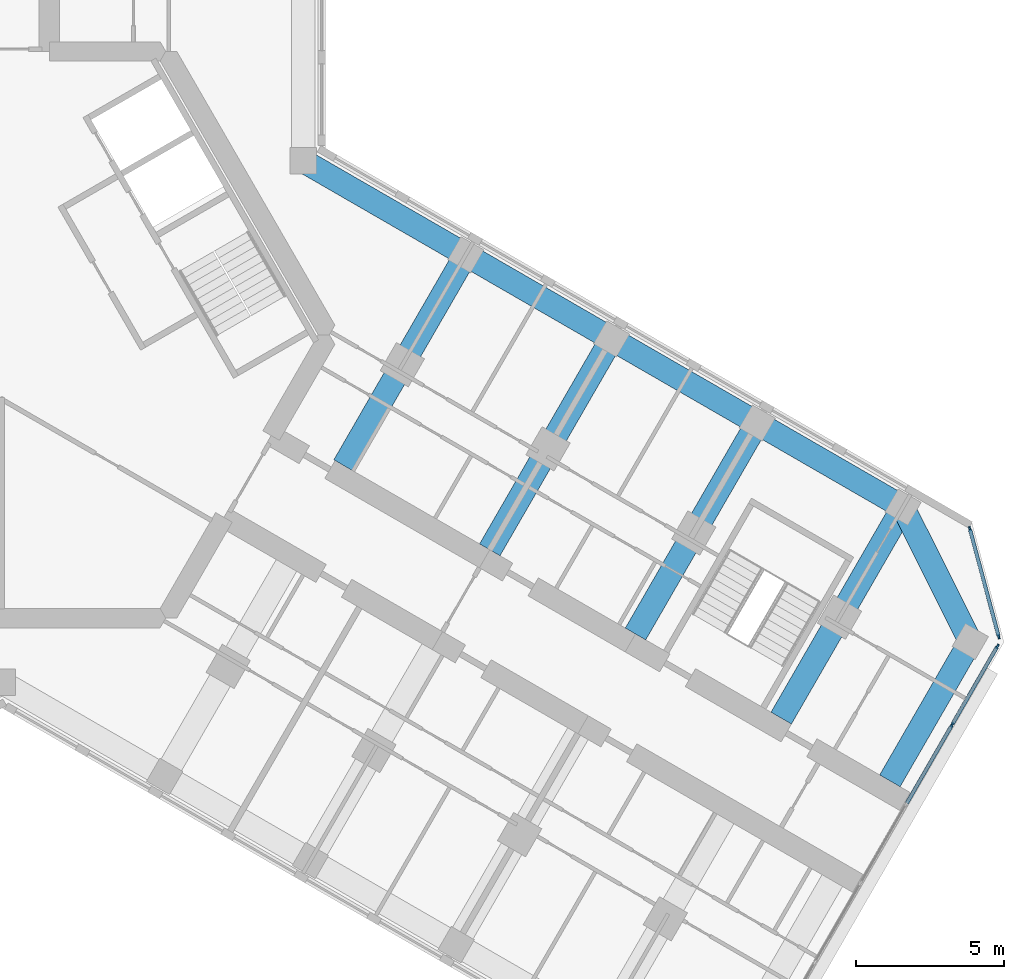
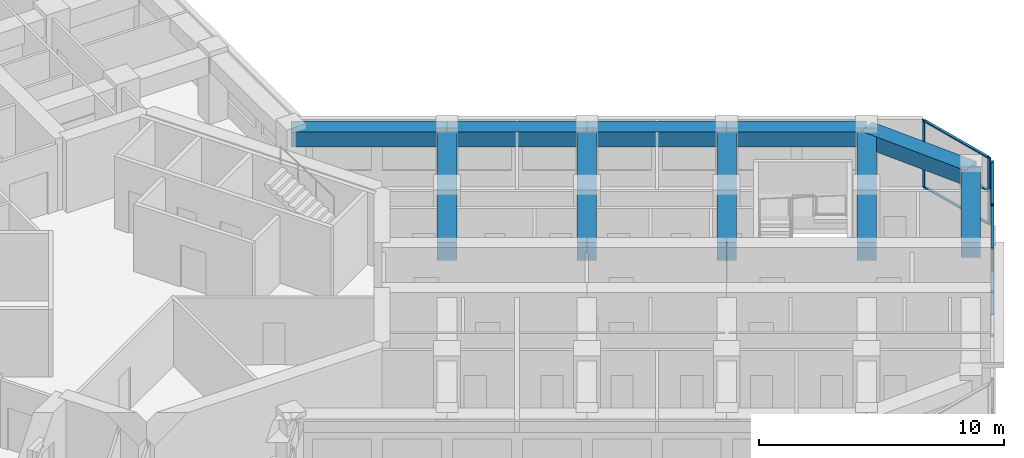
# One storey, part 5 of 16: 11 members, 10 beams, 2 elements without a shape of their own.
"""IFC4 building model written with IfcOpenShell, lengths in metres."""

from ifc_helpers import new_model, si_unit, direction, frame, origin, origin_2d, place, context, subcontext, project, spatial, rectangle, extrude, material, material_profile, profile_set, type_object, element, aggregate, save


model = new_model("IFC4")

# Units and contexts
model_context = context("Model", 3, precision=1e-05, world=origin(), true_north=direction((0.0, 1.0)))
body_context = subcontext(model_context, "Body", "Model", "MODEL_VIEW")
ifc_project = project(units=[si_unit("LENGTHUNIT", "METRE"), si_unit("AREAUNIT", "SQUARE_METRE"), si_unit("VOLUMEUNIT", "CUBIC_METRE"), si_unit("PLANEANGLEUNIT", "RADIAN"), si_unit("MASSUNIT", "GRAM", prefix="KILO")], contexts=[model_context])

# Site, building, storey
site_placement = place(None, origin())
site = spatial("IfcSite", under=ifc_project, at=site_placement, CompositionType="ELEMENT")
building_placement = place(site_placement, origin())
building = spatial("IfcBuilding", under=site, at=building_placement, Name="Kosmar Iwan School Tower", CompositionType="ELEMENT")
storey_placement = place(building_placement, frame((0.0, 0.0, 219.0)))
storey = spatial("IfcBuildingStorey", under=building, at=storey_placement, Name="L55", CompositionType="ELEMENT", Elevation=219.0)

# Curtain wall, members
ifc_material_1 = material(Name="Dark glass in black aluminium frame", Category="aluminium")
curtain_wall_type_1 = type_object("IfcCurtainWallType", Name="Tower curtain wall dark glass", PredefinedType="USERDEFINED", material=ifc_material_1)
curtain_wall_1_placement = place(storey_placement, origin())
curtain_wall_1 = element("IfcCurtainWall", 1, at=curtain_wall_1_placement, inside=storey, type_object=curtain_wall_type_1, Name="Curtain wall L55-F01", ObjectType="UNITISED CURTAIN WALL", PredefinedType="USERDEFINED")
ifc_material_2 = material(Name="Black anodised aluminium", Category="aluminium")
ifc_material_profile_1 = material_profile(ifc_material_2, rectangle(XDim=0.06005859375, YDim=0.159912109375, at=origin_2d()), Name="MULLION 60x160")
ifc_profile_set_1 = profile_set([ifc_material_profile_1], Name="Black anodised aluminium")
member_type_1 = type_object("IfcMemberType", Name="Mullion 60x160", PredefinedType="MULLION", material=ifc_profile_set_1)
member_1_placement = place(storey_placement, frame((32.1806640625, -13.21142578125, 0.0), z_axis=(0.0, 0.0, 1.0), x_axis=(-0.866025405329, 0.499999997325, 0.0)))
member_1 = element("IfcMember", 2, at=member_1_placement, type_object=member_type_1, Name="CW1 mullion 5", PredefinedType="MULLION", context=body_context, shape_type="SweptSolid", body=[
    extrude(rectangle(XDim=0.06005859375, YDim=0.159912109375, at=origin_2d()), origin(), (0.0, 0.0, 1.0), 3.35009765625),
])
member_2_placement = place(storey_placement, frame((33.71533203125, -10.55322265625, 0.0), z_axis=(0.0, 0.0, 1.0), x_axis=(-0.866025405329, 0.499999997325, 0.0)))
member_2 = element("IfcMember", 3, at=member_2_placement, type_object=member_type_1, Name="CW1 mullion 6", PredefinedType="MULLION", context=body_context, shape_type="SweptSolid", body=[
    extrude(rectangle(XDim=0.06005859375, YDim=0.159912109375, at=origin_2d()), origin(), (0.0, 0.0, 1.0), 3.35009765625),
])

ifc_material_3 = material(Name="Dark glass in black aluminium frame", Category="aluminium")
curtain_wall_type_2 = type_object("IfcCurtainWallType", Name="Chamfer curtain wall dark glass", PredefinedType="USERDEFINED", material=ifc_material_3)
curtain_wall_2_placement = place(storey_placement, origin())
curtain_wall_2 = element("IfcCurtainWall", 4, at=curtain_wall_2_placement, inside=storey, type_object=curtain_wall_type_2, Name="Curtain wall L55-F02", ObjectType="FACETED CURTAIN WALL", PredefinedType="USERDEFINED")
member_3_placement = place(storey_placement, frame((33.7587890625, -10.2236328125, 0.0), z_axis=(0.0, 0.0, 1.0), x_axis=(-0.965925875495, -0.258818861462, 0.0)))
member_3 = element("IfcMember", 5, at=member_3_placement, type_object=member_type_1, Name="CW2 mullion 1", PredefinedType="MULLION", context=body_context, shape_type="SweptSolid", body=[
    extrude(rectangle(XDim=0.06005859375, YDim=0.159912109375, at=origin_2d()), origin(), (0.0, 0.0, 1.0), 3.35009765625),
])
member_4_placement = place(storey_placement, frame((32.78076171875, -6.5732421875, 0.0), z_axis=(0.0, 0.0, 1.0), x_axis=(-0.965925875495, -0.258818861462, 0.0)))
member_4 = element("IfcMember", 6, at=member_4_placement, type_object=member_type_1, Name="CW2 mullion 2", PredefinedType="MULLION", context=body_context, shape_type="SweptSolid", body=[
    extrude(rectangle(XDim=0.06005859375, YDim=0.159912109375, at=origin_2d()), origin(), (0.0, 0.0, 1.0), 3.35009765625),
])

# Beams
ifc_material_4 = material(Name="Concrete C50/60", Category="concrete")
ifc_material_profile_2 = material_profile(ifc_material_4, rectangle(XDim=0.800048828125, YDim=0.75, at=origin_2d()), Name="RC 800x750")
ifc_profile_set_2 = profile_set([ifc_material_profile_2], Name="Concrete C50/60")
beam_type_1 = type_object("IfcBeamType", Name="RC edge beam 800x750", PredefinedType="BEAM", material=ifc_profile_set_2)
beam_1_placement = place(storey_placement, frame((10.199951171875, 5.888916015625, 2.97509765625), z_axis=(0.866030912664, -0.49999045822, 0.0), x_axis=(0.49999045822, 0.866030912664, 0.0)))
element("IfcBeam", 7, at=beam_1_placement, inside=storey, type_object=beam_type_1, Name="Edge beam CL1", PredefinedType="BEAM", context=body_context, shape_type="SweptSolid", body=[
    extrude(rectangle(XDim=0.800048828125, YDim=0.75, at=origin_2d()), origin(), (0.0, 0.0, 1.0), 6.36083984375),
])
beam_2_placement = place(storey_placement, frame((15.708740234375, 2.70849609375, 2.97509765625), z_axis=(0.866025820012, -0.499999279071, 0.0), x_axis=(0.499999279071, 0.866025820012, 0.0)))
element("IfcBeam", 8, at=beam_2_placement, inside=storey, type_object=beam_type_1, Name="Edge beam CL2", PredefinedType="BEAM", context=body_context, shape_type="SweptSolid", body=[
    extrude(rectangle(XDim=0.800048828125, YDim=0.75, at=origin_2d()), origin(), (0.0, 0.0, 1.0), 5.7001953125),
])
for number, where, z_axis, x_axis, name in (
    (9, (20.645263671875, -0.1416015625, 2.97509765625), (0.866033658841, -0.49998570155, 0.0), (0.49998570155, 0.866033658841, 0.0), "Edge beam CL3"),
    (10, (25.58154296875, -2.991455078125, 2.97509765625), (0.866015111908, -0.50001782563, 0.0), (0.50001782563, 0.866015111908, 0.0), "Edge beam CL4"),
):
    element("IfcBeam", number, at=place(storey_placement, frame(where, z_axis=z_axis, x_axis=x_axis)), inside=storey, type_object=beam_type_1, Name=name, PredefinedType="BEAM", context=body_context, shape_type="SweptSolid", body=[
        extrude(rectangle(XDim=0.800048828125, YDim=0.75, at=origin_2d()), origin(), (0.0, 0.0, 1.0), 5.699951171875),
    ])
ifc_material_5 = material(Name="Concrete C50/60", Category="concrete")
ifc_material_profile_3 = material_profile(ifc_material_5, rectangle(XDim=0.800048828125, YDim=0.75, at=origin_2d()), Name="RC 800x750")
ifc_profile_set_3 = profile_set([ifc_material_profile_3], Name="Concrete C50/60")
beam_type_2 = type_object("IfcBeamType", Name="RC tip beam 800x750", PredefinedType="BEAM", material=ifc_profile_set_3)
beam_3_placement = place(storey_placement, frame((30.517822265625, -5.841552734375, 2.97509765625), z_axis=(0.44809604203, -0.893985423325, 0.0), x_axis=(0.893985423325, 0.44809604203, 0.0)))
element("IfcBeam", 11, at=beam_3_placement, inside=storey, type_object=beam_type_2, Name="Tip beam CL", PredefinedType="BEAM", context=body_context, shape_type="SweptSolid", body=[
    extrude(rectangle(XDim=0.800048828125, YDim=0.75, at=origin_2d()), origin(), (0.0, 0.0, 1.0), 5.08935546875),
])
beam_4_placement = place(storey_placement, frame((32.79833984375, -10.391357421875, 2.97509765625), z_axis=(-0.49996933381, -0.866043108194, 0.0), x_axis=(0.866043108194, -0.49996933381, 0.0)))
element("IfcBeam", 12, at=beam_4_placement, inside=storey, type_object=beam_type_2, Name="Tip beam CL to corridor wall", PredefinedType="BEAM", context=body_context, shape_type="SweptSolid", body=[
    extrude(rectangle(XDim=0.800048828125, YDim=0.75, at=origin_2d()), origin(), (0.0, 0.0, 1.0), 5.449951171875),
])
ifc_material_6 = material(Name="Concrete C50/60", Category="concrete")
ifc_material_profile_4 = material_profile(ifc_material_6, rectangle(XDim=0.800048828125, YDim=0.89990234375, at=origin_2d()), Name="RC 800x900")
ifc_profile_set_4 = profile_set([ifc_material_profile_4], Name="Concrete C50/60")
beam_type_3 = type_object("IfcBeamType", Name="RC transverse beam 800x900", PredefinedType="BEAM", material=ifc_profile_set_4)
beam_5_placement = place(storey_placement, frame((15.708740234375, 2.70849609375, 2.89990234375), z_axis=(-0.499996545922, -0.866027397988, 0.0), x_axis=(0.866027397988, -0.499996545922, 0.0)))
element("IfcBeam", 13, at=beam_5_placement, inside=storey, type_object=beam_type_3, Name="Transverse beam CL1", PredefinedType="BEAM", context=body_context, shape_type="SweptSolid", body=[
    extrude(rectangle(XDim=0.800048828125, YDim=0.89990234375, at=origin_2d()), origin(), (0.0, 0.0, 1.0), 8.25),
])
beam_6_placement = place(storey_placement, frame((20.645263671875, -0.1416015625, 2.89990234375), z_axis=(-0.500009360108, -0.866019999656, 0.0), x_axis=(0.866019999656, -0.500009360108, 0.0)))
element("IfcBeam", 14, at=beam_6_placement, inside=storey, type_object=beam_type_3, Name="Transverse beam CL2", PredefinedType="BEAM", context=body_context, shape_type="SweptSolid", body=[
    extrude(rectangle(XDim=0.800048828125, YDim=0.89990234375, at=origin_2d()), origin(), (0.0, 0.0, 1.0), 8.249755859375),
])
for number, where, z_axis, x_axis, name in (
    (15, (25.58154296875, -2.991455078125, 2.89990234375), (-0.499996545922, -0.866027397988, 0.0), (0.866027397988, -0.499996545922, 0.0), "Transverse beam CL3"),
    (16, (30.517822265625, -5.841552734375, 2.89990234375), (-0.499996545922, -0.866027397988, 0.0), (0.866027397988, -0.499996545922, 0.0), "Transverse beam CL4"),
):
    element("IfcBeam", number, at=place(storey_placement, frame(where, z_axis=z_axis, x_axis=x_axis)), inside=storey, type_object=beam_type_3, Name=name, PredefinedType="BEAM", context=body_context, shape_type="SweptSolid", body=[
        extrude(rectangle(XDim=0.800048828125, YDim=0.89990234375, at=origin_2d()), origin(), (0.0, 0.0, 1.0), 8.25),
    ])

# Member
ifc_material_7 = material(Name="Black anodised aluminium", Category="aluminium")
ifc_material_profile_5 = material_profile(ifc_material_7, rectangle(XDim=0.1201171875, YDim=0.06005859375, at=origin_2d()), Name="TRANSOM 60x120")
ifc_profile_set_5 = profile_set([ifc_material_profile_5], Name="Black anodised aluminium")
member_type_2 = type_object("IfcMemberType", Name="Transom 60x120", PredefinedType="USERDEFINED", material=ifc_profile_set_5)
member_5_placement = place(storey_placement, frame((30.64599609375, -15.869384765625, 0.030029296875), z_axis=(0.500035348339, 0.866004994449, 0.0), x_axis=(-0.866004994449, 0.500035348339, 0.0)))
member_5 = element("IfcMember", 17, at=member_5_placement, type_object=member_type_2, Name="CW1 transom 4.1", ObjectType="TRANSOM", PredefinedType="USERDEFINED", context=body_context, shape_type="SweptSolid", body=[
    extrude(rectangle(XDim=0.1201171875, YDim=0.06005859375, at=origin_2d()), origin(), (0.0, 0.0, 1.0), 3.039306640625),
])

member_6_placement = place(storey_placement, frame((30.64599609375, -15.869384765625, 3.320068359375), z_axis=(0.500035348339, 0.866004994449, 0.0), x_axis=(-0.866004994449, 0.500035348339, 0.0)))
member_6 = element("IfcMember", 18, at=member_6_placement, type_object=member_type_2, Name="CW1 transom 4.2", ObjectType="TRANSOM", PredefinedType="USERDEFINED", context=body_context, shape_type="SweptSolid", body=[
    extrude(rectangle(XDim=0.1201171875, YDim=0.06005859375, at=origin_2d()), origin(), (0.0, 0.0, 1.0), 3.039306640625),
])

member_7_placement = place(storey_placement, frame((32.19580078125, -13.185302734375, 0.030029296875), z_axis=(0.500022102064, 0.866012642776, 0.0), x_axis=(-0.866012642776, 0.500022102064, 0.0)))
member_7 = element("IfcMember", 19, at=member_7_placement, type_object=member_type_2, Name="CW1 transom 5.1", ObjectType="TRANSOM", PredefinedType="USERDEFINED", context=body_context, shape_type="SweptSolid", body=[
    extrude(rectangle(XDim=0.1201171875, YDim=0.06005859375, at=origin_2d()), origin(), (0.0, 0.0, 1.0), 3.009033203125),
])

member_8_placement = place(storey_placement, frame((32.19580078125, -13.185302734375, 3.320068359375), z_axis=(0.500022102064, 0.866012642776, 0.0), x_axis=(-0.866012642776, 0.500022102064, 0.0)))
member_8 = element("IfcMember", 20, at=member_8_placement, type_object=member_type_2, Name="CW1 transom 5.2", ObjectType="TRANSOM", PredefinedType="USERDEFINED", context=body_context, shape_type="SweptSolid", body=[
    extrude(rectangle(XDim=0.1201171875, YDim=0.06005859375, at=origin_2d()), origin(), (0.0, 0.0, 1.0), 3.009033203125),
])

aggregate(curtain_wall_1, [member_1, member_2, member_5, member_6, member_7, member_8])

member_9_placement = place(storey_placement, frame((33.7509765625, -10.194580078125, 0.030029296875), z_axis=(-0.258843273983, 0.965919333854, 0.0), x_axis=(-0.965919333854, -0.258843273983, 0.0)))
member_9 = element("IfcMember", 21, at=member_9_placement, type_object=member_type_2, Name="CW2 transom 1.1", ObjectType="TRANSOM", PredefinedType="USERDEFINED", context=body_context, shape_type="SweptSolid", body=[
    extrude(rectangle(XDim=0.1201171875, YDim=0.06005859375, at=origin_2d()), origin(), (0.0, 0.0, 1.0), 3.718994140625),
])

member_10_placement = place(storey_placement, frame((33.7509765625, -10.194580078125, 1.675048828125), z_axis=(-0.258843273983, 0.965919333854, 0.0), x_axis=(-0.965919333854, -0.258843273983, 0.0)))
member_10 = element("IfcMember", 22, at=member_10_placement, type_object=member_type_2, Name="CW2 transom 1.2", ObjectType="TRANSOM", PredefinedType="USERDEFINED", context=body_context, shape_type="SweptSolid", body=[
    extrude(rectangle(XDim=0.1201171875, YDim=0.06005859375, at=origin_2d()), origin(), (0.0, 0.0, 1.0), 3.718994140625),
])

member_11_placement = place(storey_placement, frame((33.7509765625, -10.194580078125, 3.320068359375), z_axis=(-0.258843273983, 0.965919333854, 0.0), x_axis=(-0.965919333854, -0.258843273983, 0.0)))
member_11 = element("IfcMember", 23, at=member_11_placement, type_object=member_type_2, Name="CW2 transom 1.3", ObjectType="TRANSOM", PredefinedType="USERDEFINED", context=body_context, shape_type="SweptSolid", body=[
    extrude(rectangle(XDim=0.1201171875, YDim=0.06005859375, at=origin_2d()), origin(), (0.0, 0.0, 1.0), 3.718994140625),
])

aggregate(curtain_wall_2, [member_3, member_4, member_9, member_10, member_11])

save(model, "model.ifc")
